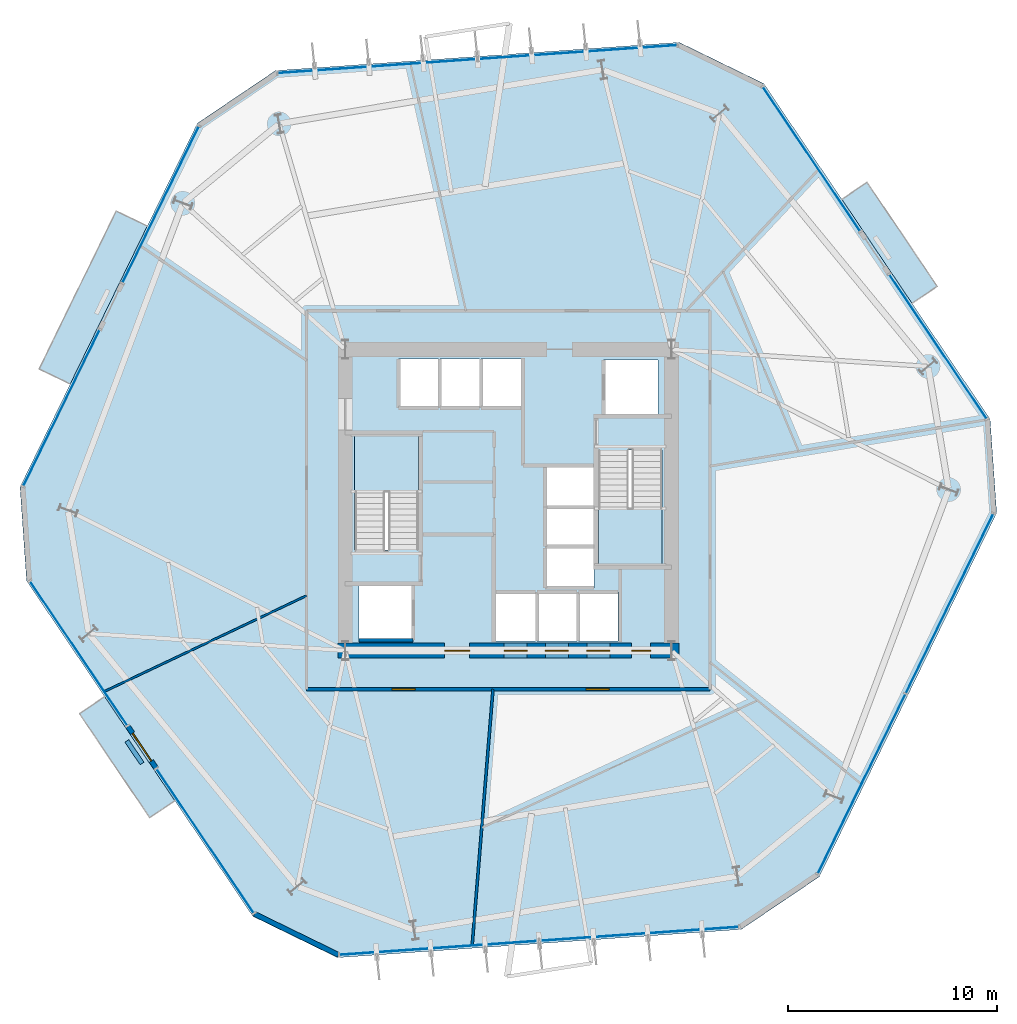
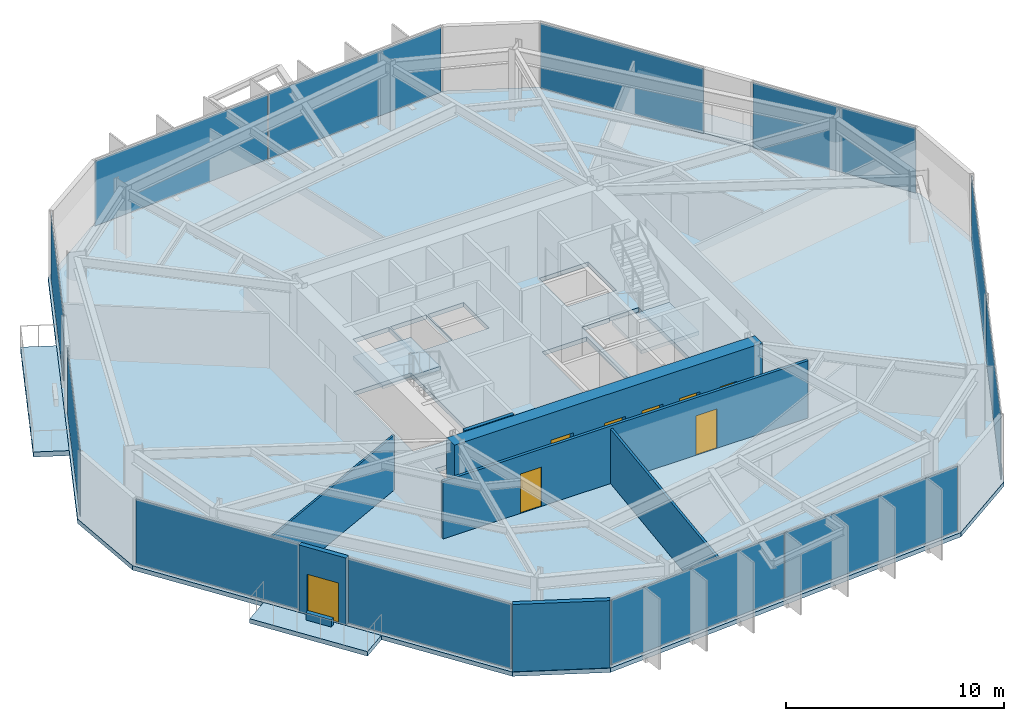
# One storey, part 5 of 10: 12 plates, 8 doors, 8 walls, 6 slabs, 8 openings, 11 elements without a shape of their own.
"""IFC4 building model written with IfcOpenShell, lengths in metres."""

from ifc_helpers import new_model, si_unit, direction, frame, frame_2d, origin, origin_2d, place, context, subcontext, project, spatial, polyline, rectangle, outline, extrude, material, layer, layer_set, type_object, element, fill, aggregate, save


model = new_model("IFC4")

# Units and contexts
model_context = context("Model", 3, precision=1e-05, world=origin(), true_north=direction((0.0, 1.0)))
body_context = subcontext(model_context, "Body", "Model", "MODEL_VIEW")
ifc_project = project(units=[si_unit("LENGTHUNIT", "METRE"), si_unit("AREAUNIT", "SQUARE_METRE"), si_unit("VOLUMEUNIT", "CUBIC_METRE"), si_unit("PLANEANGLEUNIT", "RADIAN"), si_unit("MASSUNIT", "GRAM", prefix="KILO")], contexts=[model_context])

# Site, building, storey
site_placement = place(None, origin())
site = spatial("IfcSite", under=ifc_project, at=site_placement, CompositionType="ELEMENT")
building_placement = place(site_placement, origin())
building = spatial("IfcBuilding", under=site, at=building_placement, Name="Kranzbogen Civic Tower", CompositionType="ELEMENT")
storey_placement = place(building_placement, frame((0.0, 0.0, 36.0)))
storey = spatial("IfcBuildingStorey", under=building, at=storey_placement, Name="L08", CompositionType="ELEMENT", Elevation=36.0)

# Slab
ifc_material_1 = material(Name="Concrete C40/50", Category="concrete")
ifc_layer_1 = layer(ifc_material_1, 0.239990234375, Name="Concrete C40/50")
ifc_layer_set_1 = layer_set([ifc_layer_1], Name="Concrete C40/50")
slab_type_1 = type_object("IfcSlabType", Name="Composite Lower Tower Floor Slab 240 mm", PredefinedType="FLOOR", material=ifc_layer_set_1)
slab_1_placement = place(storey_placement, frame((0.0, 0.0, -0.239990234375)))
element("IfcSlab", 1, at=slab_1_placement, inside=storey, type_object=slab_type_1, Name="L08 tower floor slab", PredefinedType="FLOOR", context=body_context, shape_type="SweptSolid", body=[
    extrude(outline(polyline([(48.0390625, 28.866943359375), (37.216064453125, 44.9130859375), (33.1708984375, 46.885986328125), (13.863037109375, 45.535888671875), (10.132080078125, 43.01904296875), (1.64697265625, 25.6220703125), (1.9609375, 21.133056640625), (12.783935546875, 5.0869140625), (16.8291015625, 3.114013671875), (36.136962890625, 4.464111328125), (39.867919921875, 6.98095703125), (48.35302734375, 24.3779296875), (48.0390625, 28.866943359375)]), holes=[polyline([(26.300048828125, 20.60009765625), (26.300048828125, 18.25), (24.39990234375, 18.25), (24.39990234375, 20.60009765625), (26.300048828125, 20.60009765625)]), polyline([(28.27490234375, 18.25), (26.375, 18.25), (26.375, 20.60009765625), (28.27490234375, 20.60009765625), (28.27490234375, 18.25)]), polyline([(20.449951171875, 18.300048828125), (17.85009765625, 18.300048828125), (17.85009765625, 20.89990234375), (20.449951171875, 20.89990234375), (20.449951171875, 18.300048828125)]), polyline([(20.699951171875, 22.659912109375), (19.25, 22.659912109375), (19.25, 22.60009765625), (17.64990234375, 22.60009765625), (17.64990234375, 28.10009765625), (20.699951171875, 28.10009765625), (20.699951171875, 22.659912109375)]), polyline([(21.64990234375, 29.39990234375), (19.75, 29.39990234375), (19.75, 31.75), (21.64990234375, 31.75), (21.64990234375, 29.39990234375)]), polyline([(23.625, 29.39990234375), (21.72509765625, 29.39990234375), (21.72509765625, 31.75), (23.625, 31.75), (23.625, 29.39990234375)]), polyline([(25.60009765625, 31.75), (25.60009765625, 29.39990234375), (23.699951171875, 29.39990234375), (23.699951171875, 31.75), (25.60009765625, 31.75)]), polyline([(30.25, 18.25), (28.35009765625, 18.25), (28.35009765625, 20.60009765625), (30.25, 20.60009765625), (30.25, 18.25)]), polyline([(29.10009765625, 20.800048828125), (26.75, 20.800048828125), (26.75, 22.699951171875), (29.10009765625, 22.699951171875), (29.10009765625, 20.800048828125)]), polyline([(26.75, 26.550048828125), (29.10009765625, 26.550048828125), (29.10009765625, 24.675048828125), (29.10009765625, 24.64990234375), (29.10009765625, 22.77490234375), (26.75, 22.77490234375), (26.75, 24.64990234375), (26.75, 24.675048828125), (26.75, 26.550048828125)]), polyline([(30.75, 27.340087890625), (30.75, 27.39990234375), (32.35009765625, 27.39990234375), (32.35009765625, 21.89990234375), (29.300048828125, 21.89990234375), (29.300048828125, 27.340087890625), (30.75, 27.340087890625)]), polyline([(32.14990234375, 29.10009765625), (29.550048828125, 29.10009765625), (29.550048828125, 31.699951171875), (32.14990234375, 31.699951171875), (32.14990234375, 29.10009765625)])]), origin(), (0.0, 0.0, 1.0), 0.239990234375),
])

# Curtain wall, plate
ifc_material_2 = material(Name="Pale Anodised Aluminium", Category="aluminium")
ifc_layer_2 = layer(ifc_material_2, 0.219970703125, Name="Pale Anodised Aluminium")
ifc_layer_set_2 = layer_set([ifc_layer_2], Name="Pale Anodised Aluminium")
curtain_wall_type = type_object("IfcCurtainWallType", Name="Zone 1 Stick Curtain Wall System CW-02", PredefinedType="USERDEFINED", material=ifc_layer_set_2)
curtain_wall_1_placement = place(storey_placement, origin())
curtain_wall_1 = element("IfcCurtainWall", 2, at=curtain_wall_1_placement, inside=storey, type_object=curtain_wall_type, Name="L08 curtain wall CW-L08-F1-S1", ObjectType="STICK CURTAIN WALL", PredefinedType="USERDEFINED")
ifc_material_3 = material(Name="Low-E Triple Glazing Glass", Category="glass")
ifc_layer_3 = layer(ifc_material_3, 0.033935546875, Name="Low-E Triple Glazing Glass")
ifc_layer_set_3 = layer_set([ifc_layer_3], Name="Low-E Triple Glazing Glass")
plate_type = type_object("IfcPlateType", Name="Insulated Low-E Glazing Panel 34 mm", PredefinedType="CURTAIN_PANEL", material=ifc_layer_set_3)
plate_1_placement = place(storey_placement, frame((45.547119140625, 32.333984375, 0.06005859375), z_axis=(0.0, 0.0, 1.0), x_axis=(-0.559187234203, 0.829041396496, 0.0)))
plate_1 = element("IfcPlate", 3, at=plate_1_placement, type_object=plate_type, Name="CW-02 panel 1.1", PredefinedType="CURTAIN_PANEL", context=body_context, shape_type="SweptSolid", body=[
    extrude(rectangle(XDim=8.29931640625, YDim=0.028076171875, at=origin_2d()), origin(), (0.0, 0.0, 1.0), 3.639892578125),
])
aggregate(curtain_wall_1, [plate_1])

curtain_wall_2_placement = place(storey_placement, origin())
curtain_wall_2 = element("IfcCurtainWall", 4, at=curtain_wall_2_placement, inside=storey, type_object=curtain_wall_type, Name="L08 curtain wall CW-L08-F1-S2", ObjectType="STICK CURTAIN WALL", PredefinedType="USERDEFINED")
plate_2_placement = place(storey_placement, frame((39.4970703125, 41.303955078125, 0.06005859375), z_axis=(0.0, 0.0, 1.0), x_axis=(-0.559187234203, 0.829041396496, 0.0)))
plate_2 = element("IfcPlate", 5, at=plate_2_placement, type_object=plate_type, Name="CW-02 panel 1.1", PredefinedType="CURTAIN_PANEL", context=body_context, shape_type="SweptSolid", body=[
    extrude(rectangle(XDim=8.29931640625, YDim=0.028076171875, at=origin_2d()), origin(), (0.0, 0.0, 1.0), 3.639892578125),
])
aggregate(curtain_wall_2, [plate_2])

# Curtain wall, plates
curtain_wall_3_placement = place(storey_placement, origin())
curtain_wall_3 = element("IfcCurtainWall", 6, at=curtain_wall_3_placement, inside=storey, type_object=curtain_wall_type, Name="L08 curtain wall CW-L08-F2", ObjectType="STICK CURTAIN WALL", PredefinedType="USERDEFINED")
plate_3_placement = place(storey_placement, frame((28.30908203125, 46.41845703125, 0.06005859375), z_axis=(0.0, 0.0, 1.0), x_axis=(-0.997564178208, -0.069754643976, 0.0)))
plate_3 = element("IfcPlate", 7, at=plate_3_placement, type_object=plate_type, Name="CW-02 panel 1.1", PredefinedType="CURTAIN_PANEL", context=body_context, shape_type="SweptSolid", body=[
    extrude(rectangle(XDim=9.529541015625, YDim=0.028076171875, at=origin_2d()), origin(), (0.0, 0.0, 1.0), 3.639892578125),
])
plate_4_placement = place(storey_placement, frame((18.742919921875, 45.74951171875, 0.06005859375), z_axis=(0.0, 0.0, 1.0), x_axis=(-0.997564178208, -0.069754643976, 0.0)))
plate_4 = element("IfcPlate", 8, at=plate_4_placement, type_object=plate_type, Name="CW-02 panel 2.1", PredefinedType="CURTAIN_PANEL", context=body_context, shape_type="SweptSolid", body=[
    extrude(rectangle(XDim=9.529541015625, YDim=0.028076171875, at=origin_2d()), origin(), (0.0, 0.0, 1.0), 3.639892578125),
])
aggregate(curtain_wall_3, [plate_3, plate_4])

# Curtain wall, plate
curtain_wall_4_placement = place(storey_placement, origin())
curtain_wall_4 = element("IfcCurtainWall", 9, at=curtain_wall_4_placement, inside=storey, type_object=curtain_wall_type, Name="L08 curtain wall CW-L08-F3-S1", ObjectType="STICK CURTAIN WALL", PredefinedType="USERDEFINED")
plate_5_placement = place(storey_placement, frame((8.37548828125, 39.126953125, 0.06005859375), z_axis=(0.0, 0.0, 1.0), x_axis=(-0.438355774113, -0.898801543892, 0.0)))
plate_5 = element("IfcPlate", 10, at=plate_5_placement, type_object=plate_type, Name="CW-02 panel 1.1", PredefinedType="CURTAIN_PANEL", context=body_context, shape_type="SweptSolid", body=[
    extrude(rectangle(XDim=8.300048828125, YDim=0.028076171875, at=origin_2d()), origin(), (0.0, 0.0, 1.0), 3.639892578125),
])
aggregate(curtain_wall_4, [plate_5])

curtain_wall_5_placement = place(storey_placement, origin())
curtain_wall_5 = element("IfcCurtainWall", 11, at=curtain_wall_5_placement, inside=storey, type_object=curtain_wall_type, Name="L08 curtain wall CW-L08-F3-S2", ObjectType="STICK CURTAIN WALL", PredefinedType="USERDEFINED")
plate_6_placement = place(storey_placement, frame((3.632568359375, 29.402099609375, 0.06005859375), z_axis=(0.0, 0.0, 1.0), x_axis=(-0.438355774113, -0.898801543892, 0.0)))
plate_6 = element("IfcPlate", 12, at=plate_6_placement, type_object=plate_type, Name="CW-02 panel 1.1", PredefinedType="CURTAIN_PANEL", context=body_context, shape_type="SweptSolid", body=[
    extrude(rectangle(XDim=8.300048828125, YDim=0.028076171875, at=origin_2d()), origin(), (0.0, 0.0, 1.0), 3.639892578125),
])
aggregate(curtain_wall_5, [plate_6])

curtain_wall_6_placement = place(storey_placement, origin())
curtain_wall_6 = element("IfcCurtainWall", 13, at=curtain_wall_6_placement, inside=storey, type_object=curtain_wall_type, Name="L08 curtain wall CW-L08-F4-S1", ObjectType="STICK CURTAIN WALL", PredefinedType="USERDEFINED")
plate_7_placement = place(storey_placement, frame((4.452880859375, 17.666015625, 0.06005859375), z_axis=(0.0, 0.0, 1.0), x_axis=(0.559187234203, -0.829041396496, 0.0)))
plate_7 = element("IfcPlate", 14, at=plate_7_placement, type_object=plate_type, Name="CW-02 panel 1.1", PredefinedType="CURTAIN_PANEL", context=body_context, shape_type="SweptSolid", body=[
    extrude(rectangle(XDim=8.29931640625, YDim=0.028076171875, at=origin_2d()), origin(), (0.0, 0.0, 1.0), 3.639892578125),
])
aggregate(curtain_wall_6, [plate_7])

curtain_wall_7_placement = place(storey_placement, origin())
curtain_wall_7 = element("IfcCurtainWall", 15, at=curtain_wall_7_placement, inside=storey, type_object=curtain_wall_type, Name="L08 curtain wall CW-L08-F4-S2", ObjectType="STICK CURTAIN WALL", PredefinedType="USERDEFINED")
plate_8_placement = place(storey_placement, frame((10.5029296875, 8.696044921875, 0.06005859375), z_axis=(0.0, 0.0, 1.0), x_axis=(0.559187234203, -0.829041396496, 0.0)))
plate_8 = element("IfcPlate", 16, at=plate_8_placement, type_object=plate_type, Name="CW-02 panel 1.1", PredefinedType="CURTAIN_PANEL", context=body_context, shape_type="SweptSolid", body=[
    extrude(rectangle(XDim=8.29931640625, YDim=0.028076171875, at=origin_2d()), origin(), (0.0, 0.0, 1.0), 3.639892578125),
])
aggregate(curtain_wall_7, [plate_8])

# Curtain wall, plates
curtain_wall_8_placement = place(storey_placement, origin())
curtain_wall_8 = element("IfcCurtainWall", 17, at=curtain_wall_8_placement, inside=storey, type_object=curtain_wall_type, Name="L08 curtain wall CW-L08-F5", ObjectType="STICK CURTAIN WALL", PredefinedType="USERDEFINED")
plate_9_placement = place(storey_placement, frame((21.69091796875, 3.58154296875, 0.06005859375), z_axis=(0.0, 0.0, 1.0), x_axis=(0.997564178208, 0.069754643976, 0.0)))
plate_9 = element("IfcPlate", 18, at=plate_9_placement, type_object=plate_type, Name="CW-02 panel 1.1", PredefinedType="CURTAIN_PANEL", context=body_context, shape_type="SweptSolid", body=[
    extrude(rectangle(XDim=9.529541015625, YDim=0.028076171875, at=origin_2d()), origin(), (0.0, 0.0, 1.0), 3.639892578125),
])
plate_10_placement = place(storey_placement, frame((31.257080078125, 4.25048828125, 0.06005859375), z_axis=(0.0, 0.0, 1.0), x_axis=(0.997564178208, 0.069754643976, 0.0)))
plate_10 = element("IfcPlate", 19, at=plate_10_placement, type_object=plate_type, Name="CW-02 panel 2.1", PredefinedType="CURTAIN_PANEL", context=body_context, shape_type="SweptSolid", body=[
    extrude(rectangle(XDim=9.529541015625, YDim=0.028076171875, at=origin_2d()), origin(), (0.0, 0.0, 1.0), 3.639892578125),
])
aggregate(curtain_wall_8, [plate_9, plate_10])

curtain_wall_9_placement = place(storey_placement, origin())
curtain_wall_9 = element("IfcCurtainWall", 20, at=curtain_wall_9_placement, inside=storey, type_object=curtain_wall_type, Name="L08 curtain wall CW-L08-F6", ObjectType="STICK CURTAIN WALL", PredefinedType="USERDEFINED")
plate_11_placement = place(storey_placement, frame((41.89404296875, 11.42578125, 0.06005859375), z_axis=(0.0, 0.0, 1.0), x_axis=(0.438356045969, 0.898801411304, 0.0)))
plate_11 = element("IfcPlate", 21, at=plate_11_placement, type_object=plate_type, Name="CW-02 panel 1.1", PredefinedType="CURTAIN_PANEL", context=body_context, shape_type="SweptSolid", body=[
    extrude(rectangle(XDim=9.530029296875, YDim=0.028076171875, at=origin_2d()), origin(), (0.0, 0.0, 1.0), 3.639892578125),
])
plate_12_placement = place(storey_placement, frame((46.097900390625, 20.045166015625, 0.06005859375), z_axis=(0.0, 0.0, 1.0), x_axis=(0.438356045969, 0.898801411304, 0.0)))
plate_12 = element("IfcPlate", 22, at=plate_12_placement, type_object=plate_type, Name="CW-02 panel 2.1", PredefinedType="CURTAIN_PANEL", context=body_context, shape_type="SweptSolid", body=[
    extrude(rectangle(XDim=9.530029296875, YDim=0.028076171875, at=origin_2d()), origin(), (0.0, 0.0, 1.0), 3.639892578125),
])
aggregate(curtain_wall_9, [plate_11, plate_12])

# Stair, slab
ifc_material_4 = material(Name="Precast concrete C40/50", Category="concrete")
stair_type_1 = type_object("IfcStairType", Name="Tower Core Pressurized Dogleg Stair 1450", PredefinedType="HALF_TURN_STAIR", material=ifc_material_4)
stair_1_placement = place(storey_placement, origin())
stair_1 = element("IfcStair", 23, at=stair_1_placement, inside=storey, type_object=stair_type_1, Name="L08 Tower Core Pressurized Stair 1", PredefinedType="HALF_TURN_STAIR")
ifc_layer_4 = layer(ifc_material_4, 0.199951171875, Name="Precast concrete C40/50")
ifc_layer_set_4 = layer_set([ifc_layer_4], Name="Precast concrete C40/50")
slab_type_2 = type_object("IfcSlabType", Name="Precast Concrete Stair Landing Slab 200 mm", PredefinedType="LANDING", material=ifc_layer_set_4)
slab_2_placement = place(storey_placement, frame((0.0, 0.0, 1.800048828125)))
slab_2 = element("IfcSlab", 24, at=slab_2_placement, type_object=slab_type_2, Name="ST-T1 landing 1", PredefinedType="LANDING", context=body_context, shape_type="SweptSolid", body=[
    extrude(outline(polyline([(20.699951171875, 25.39990234375), (20.699951171875, 28.10009765625), (17.64990234375, 28.10009765625), (17.64990234375, 25.39990234375), (20.699951171875, 25.39990234375)])), origin(), (0.0, 0.0, 1.0), 0.199951171875),
])
aggregate(stair_1, [slab_2])

stair_type_2 = type_object("IfcStairType", Name="Tower Core Secondary Dogleg Stair 1450", PredefinedType="HALF_TURN_STAIR", material=ifc_material_4)
stair_2_placement = place(storey_placement, origin())
stair_2 = element("IfcStair", 25, at=stair_2_placement, inside=storey, type_object=stair_type_2, Name="L08 Tower Core Pressurized Stair 2", PredefinedType="HALF_TURN_STAIR")
slab_3_placement = place(storey_placement, frame((0.0, 0.0, 1.800048828125)))
slab_3 = element("IfcSlab", 26, at=slab_3_placement, type_object=slab_type_2, Name="ST-T2 landing 1", PredefinedType="LANDING", context=body_context, shape_type="SweptSolid", body=[
    extrude(outline(polyline([(29.300048828125, 24.60009765625), (29.300048828125, 21.89990234375), (32.35009765625, 21.89990234375), (32.35009765625, 24.60009765625), (29.300048828125, 24.60009765625)])), origin(), (0.0, 0.0, 1.0), 0.199951171875),
])
aggregate(stair_2, [slab_3])

# Slabs
ifc_layer_5 = layer(ifc_material_1, 0.280029296875, Name="Concrete C40/50")
ifc_layer_set_5 = layer_set([ifc_layer_5], Name="Concrete C40/50")
slab_type_3 = type_object("IfcSlabType", Name="Spiral Terrace Cantilevered Slab 280 mm", PredefinedType="FLOOR", material=ifc_layer_set_5)
slab_4_placement = place(storey_placement, frame((0.0, 0.0, -0.280029296875)))
element("IfcSlab", 27, at=slab_4_placement, inside=storey, type_object=slab_type_3, Name="L08 cantilevered spiral terrace L08-ST", PredefinedType="FLOOR", context=body_context, shape_type="SweptSolid", body=[
    extrude(outline(polyline([(7.73095703125, 38.095947265625), (4.048095703125, 30.5458984375), (2.56494140625, 31.26904296875), (6.248046875, 38.819091796875), (7.73095703125, 38.095947265625)])), origin(), (0.0, 0.0, 1.0), 0.280029296875),
])
ifc_layer_6 = layer(ifc_material_1, 0.25, Name="Concrete C40/50")
ifc_layer_set_6 = layer_set([ifc_layer_6], Name="Concrete C40/50")
slab_type_4 = type_object("IfcSlabType", Name="Tree Balcony Cantilevered Slab 250 mm", PredefinedType="FLOOR", material=ifc_layer_set_6)
slab_5_placement = place(storey_placement, frame((0.0, 0.0, -0.25)))
element("IfcSlab", 28, at=slab_5_placement, inside=storey, type_object=slab_type_4, Name="L08 cantilevered tree balcony L08-TB1", PredefinedType="FLOOR", context=body_context, shape_type="SweptSolid", body=[
    extrude(outline(polyline([(44.304931640625, 34.403076171875), (40.949951171875, 39.376953125), (42.152099609375, 40.18798828125), (45.507080078125, 35.214111328125), (44.304931640625, 34.403076171875)])), origin(), (0.0, 0.0, 1.0), 0.25),
])
slab_6_placement = place(storey_placement, frame((0.0, 0.0, -0.25)))
element("IfcSlab", 29, at=slab_6_placement, inside=storey, type_object=slab_type_4, Name="L08 cantilevered tree balcony L08-TB2", PredefinedType="FLOOR", context=body_context, shape_type="SweptSolid", body=[
    extrude(outline(polyline([(5.695068359375, 15.596923828125), (9.050048828125, 10.623046875), (7.847900390625, 9.81201171875), (4.492919921875, 14.785888671875), (5.695068359375, 15.596923828125)])), origin(), (0.0, 0.0, 1.0), 0.25),
])

# Wall, openings, doors
ifc_material_5 = material(Name="Double-Stud Acoustic Gypsum Partition")
ifc_layer_7 = layer(ifc_material_5, 0.14990234375, Name="Double-Stud Acoustic Gypsum Partition")
ifc_layer_set_7 = layer_set([ifc_layer_7], Name="Double-Stud Acoustic Gypsum Partition")
wall_type_1 = type_object("IfcWallType", Name="Acoustic Corridor and Clinical Partition 150 mm", PredefinedType="PARTITIONING", material=ifc_layer_set_7)
wall_1_placement = place(storey_placement, frame((34.64990234375, 15.949951171875, 0.0), z_axis=(0.0, 0.0, 1.0), x_axis=(-1.0, 0.0, 0.0)))
wall_1 = element("IfcWall", 30, at=wall_1_placement, inside=storey, type_object=wall_type_1, Name="L08 corridor partition 03", PredefinedType="PARTITIONING", context=body_context, shape_type="SweptSolid", body=[
    extrude(rectangle(XDim=19.2998046875, YDim=0.14990234375, at=frame_2d((9.64990234375, 0.0))), origin(), (0.0, 0.0, 1.0), 3.2099609375),
])
opening_1_placement = place(wall_1_placement, frame((14.112060546875, 0.0, 0.0)))
opening_1 = element("IfcOpeningElement", 31, at=opening_1_placement, cuts=wall_1, Name="Opening D-COR60", PredefinedType="OPENING", context=body_context, shape_type="SweptSolid", body=[
    extrude(rectangle(XDim=1.10009765625, YDim=2.199951171875, at=frame_2d((0.550048828125, 1.10009765625))), frame((0.0, 0.0849609375, 0.0), z_axis=(0.0, -1.0, 0.0), x_axis=(1.0, 0.0, 0.0)), (0.0, 0.0, 1.0), 0.169921875),
])
opening_2_placement = place(wall_1_placement, frame((4.8291015625, 0.0, 0.0)))
opening_2 = element("IfcOpeningElement", 32, at=opening_2_placement, cuts=wall_1, Name="Opening D-COR60", PredefinedType="OPENING", context=body_context, shape_type="SweptSolid", body=[
    extrude(rectangle(XDim=1.10009765625, YDim=2.199951171875, at=frame_2d((0.550048828125, 1.10009765625))), frame((0.0, 0.0849609375, 0.0), z_axis=(0.0, -1.0, 0.0), x_axis=(1.0, 0.0, 0.0)), (0.0, 0.0, 1.0), 0.169921875),
])
ifc_material_6 = material(Name="Oak Timber and Fire Core", Category="wood")
door_type_1 = type_object("IfcDoorType", Name="Corridor Acoustic Fire Door 1100x2200", OperationType="NOTDEFINED", PredefinedType="DOOR", material=ifc_material_6)
door_1_placement = place(opening_1_placement, origin())
door_1 = element("IfcDoor", 33, at=door_1_placement, inside=storey, type_object=door_type_1, Name="L08 Ministerial Policy Office door", OperationType="SINGLE_SWING_LEFT", OverallHeight=2.199951171875, OverallWidth=1.10009765625, PredefinedType="DOOR", context=body_context, shape_type="SweptSolid", body=[
    extrude(rectangle(XDim=1.10009765625, YDim=2.199951171875, at=frame_2d((0.550048828125, 1.10009765625))), frame((0.0, 0.02490234375, 0.0), z_axis=(0.0, -1.0, 0.0), x_axis=(1.0, 0.0, 0.0)), (0.0, 0.0, 1.0), 0.050048828125),
])
fill(opening_1, door_1)
door_2_placement = place(opening_2_placement, origin())
door_2 = element("IfcDoor", 34, at=door_2_placement, inside=storey, type_object=door_type_1, Name="L08 Directorate Admin Workspace door", OperationType="SINGLE_SWING_RIGHT", OverallHeight=2.199951171875, OverallWidth=1.10009765625, PredefinedType="DOOR", context=body_context, shape_type="SweptSolid", body=[
    extrude(rectangle(XDim=1.10009765625, YDim=2.199951171875, at=frame_2d((0.550048828125, 1.10009765625))), frame((0.0, 0.02490234375, 0.0), z_axis=(0.0, -1.0, 0.0), x_axis=(1.0, 0.0, 0.0)), (0.0, 0.0, 1.0), 0.050048828125),
])
fill(opening_2, door_2)

# Walls
ifc_material_7 = material(Name="Insulated Metal-Stud Gypsum Partition")
ifc_layer_8 = layer(ifc_material_7, 0.125, Name="Insulated Metal-Stud Gypsum Partition")
ifc_layer_set_8 = layer_set([ifc_layer_8], Name="Insulated Metal-Stud Gypsum Partition")
wall_type_2 = type_object("IfcWallType", Name="Acoustic Inter-Room Partition 125 mm", PredefinedType="PARTITIONING", material=ifc_layer_set_8)
wall_2_placement = place(storey_placement, frame((24.264892578125, 15.949951171875, 0.0), z_axis=(0.0, 0.0, 1.0), x_axis=(-0.081013374565, -0.996713014434, 0.0)))
element("IfcWall", 35, at=wall_2_placement, inside=storey, type_object=wall_type_2, Name="L08 radial room partition 05", PredefinedType="PARTITIONING", context=body_context, shape_type="SweptSolid", body=[
    extrude(rectangle(XDim=12.2802734375, YDim=0.125, at=frame_2d((6.14013671875, 0.0))), origin(), (0.0, 0.0, 1.0), 3.050048828125),
])
ifc_material_8 = material(Name="Architectural Precast Terracotta Concrete C40/50", Category="masonry")
ifc_layer_9 = layer(ifc_material_8, 0.219970703125, Name="Architectural Precast Terracotta Concrete C40/50")
ifc_layer_set_9 = layer_set([ifc_layer_9], Name="Architectural Precast Terracotta Concrete C40/50")
wall_type_3 = type_object("IfcWallType", Name="Architectural Tree Planter Kerb Wall 220 mm", PredefinedType="USERDEFINED", material=ifc_layer_set_9)
wall_3_placement = place(storey_placement, frame((6.757080078125, 13.47900390625, 0.0), z_axis=(0.0, 0.0, 1.0), x_axis=(0.558465865857, -0.829527502059, 0.0)))
element("IfcWall", 36, at=wall_3_placement, inside=storey, type_object=wall_type_3, Name="L08 landscaped tree balcony planter L08-TB2", ObjectType="PLANTER_WALL", PredefinedType="USERDEFINED", context=body_context, shape_type="SweptSolid", body=[
    extrude(rectangle(XDim=1.2998046875, YDim=0.219970703125, at=frame_2d((0.64990234375, 0.0))), origin(), (0.0, 0.0, 1.0), 0.39990234375),
])

# Wall, openings, doors
ifc_material_9 = material(Name="Concrete C55/67", Category="concrete")
ifc_layer_10 = layer(ifc_material_9, 0.699951171875, Name="Concrete C55/67")
ifc_layer_set_10 = layer_set([ifc_layer_10], Name="Concrete C55/67")
wall_type_4 = type_object("IfcWallType", Name="Central Core Shear Wall 700 mm", PredefinedType="SHEAR", material=ifc_layer_set_10)
wall_4_placement = place(storey_placement, frame((16.85009765625, 17.800048828125, 0.0), z_axis=(0.0, 0.0, 1.0), x_axis=(1.0, 0.0, 0.0)))
wall_4 = element("IfcWall", 37, at=wall_4_placement, inside=storey, type_object=wall_type_4, Name="L08 central core South shear wall", PredefinedType="SHEAR", context=body_context, shape_type="SweptSolid", body=[
    extrude(rectangle(XDim=16.2998046875, YDim=0.699951171875, at=frame_2d((8.14990234375, 0.0))), origin(), (0.0, 0.0, 1.0), 3.760009765625),
])
opening_3_placement = place(wall_4_placement, frame((5.10009765625, 0.0, 0.0)))
opening_3 = element("IfcOpeningElement", 38, at=opening_3_placement, cuts=wall_4, Name="Opening D-EX120", PredefinedType="OPENING", context=body_context, shape_type="SweptSolid", body=[
    extrude(rectangle(XDim=1.199951171875, YDim=2.25, at=frame_2d((0.60009765625, 1.125))), frame((0.0, 0.35986328125, 0.0), z_axis=(0.0, -1.0, 0.0), x_axis=(1.0, 0.0, 0.0)), (0.0, 0.0, 1.0), 0.719970703125),
])
opening_4_placement = place(wall_4_placement, frame((14.050048828125, 0.0, 0.0)))
opening_4 = element("IfcOpeningElement", 39, at=opening_4_placement, cuts=wall_4, Name="Opening D-WC90", PredefinedType="OPENING", context=body_context, shape_type="SweptSolid", body=[
    extrude(rectangle(XDim=0.89990234375, YDim=2.10009765625, at=frame_2d((0.449951171875, 1.050048828125))), frame((0.0, 0.35986328125, 0.0), z_axis=(0.0, -1.0, 0.0), x_axis=(1.0, 0.0, 0.0)), (0.0, 0.0, 1.0), 0.719970703125),
])
opening_5_placement = place(wall_4_placement, frame((7.949951171875, 0.0, 0.0)))
opening_5 = element("IfcOpeningElement", 40, at=opening_5_placement, cuts=wall_4, Name="Opening LD-LP-01", PredefinedType="OPENING", context=body_context, shape_type="SweptSolid", body=[
    extrude(rectangle(XDim=1.10009765625, YDim=2.199951171875, at=frame_2d((0.550048828125, 1.10009765625))), frame((0.0, 0.35986328125, 0.0), z_axis=(0.0, -1.0, 0.0), x_axis=(1.0, 0.0, 0.0)), (0.0, 0.0, 1.0), 0.719970703125),
])
opening_6_placement = place(wall_4_placement, frame((9.925048828125, 0.0, 0.0)))
opening_6 = element("IfcOpeningElement", 41, at=opening_6_placement, cuts=wall_4, Name="Opening LD-LP-02", PredefinedType="OPENING", context=body_context, shape_type="SweptSolid", body=[
    extrude(rectangle(XDim=1.10009765625, YDim=2.199951171875, at=frame_2d((0.550048828125, 1.10009765625))), frame((0.0, 0.35986328125, 0.0), z_axis=(0.0, -1.0, 0.0), x_axis=(1.0, 0.0, 0.0)), (0.0, 0.0, 1.0), 0.719970703125),
])
opening_7_placement = place(wall_4_placement, frame((11.89990234375, 0.0, 0.0)))
opening_7 = element("IfcOpeningElement", 42, at=opening_7_placement, cuts=wall_4, Name="Opening LD-LP-03", PredefinedType="OPENING", context=body_context, shape_type="SweptSolid", body=[
    extrude(rectangle(XDim=1.10009765625, YDim=2.199951171875, at=frame_2d((0.550048828125, 1.10009765625))), frame((0.0, 0.35986328125, 0.0), z_axis=(0.0, -1.0, 0.0), x_axis=(1.0, 0.0, 0.0)), (0.0, 0.0, 1.0), 0.719970703125),
])
ifc_material_10 = material(Name="Steel S355", Category="steel")
door_type_2 = type_object("IfcDoorType", Name="Exit Passageway Fire Door 1200x2250", OperationType="NOTDEFINED", PredefinedType="DOOR", material=ifc_material_10)
door_3_placement = place(opening_3_placement, origin())
door_3 = element("IfcDoor", 43, at=door_3_placement, inside=storey, type_object=door_type_2, Name="L08 West firefighting lobby corridor door", OperationType="SINGLE_SWING_RIGHT", OverallHeight=2.25, OverallWidth=1.199951171875, PredefinedType="DOOR", context=body_context, shape_type="SweptSolid", body=[
    extrude(rectangle(XDim=1.199951171875, YDim=2.25, at=frame_2d((0.60009765625, 1.125))), frame((0.0, 0.02490234375, 0.0), z_axis=(0.0, -1.0, 0.0), x_axis=(1.0, 0.0, 0.0)), (0.0, 0.0, 1.0), 0.050048828125),
])
fill(opening_3, door_3)
door_type_3 = type_object("IfcDoorType", Name="Passenger Lift Sliding Landing Door 1100x2200", OperationType="DOUBLE_DOOR_SLIDING", PredefinedType="DOOR", material=ifc_material_2)
door_4_placement = place(opening_5_placement, origin())
door_4 = element("IfcDoor", 44, at=door_4_placement, inside=storey, type_object=door_type_3, Name="L08 lift LP-01 sliding landing door", OperationType="DOUBLE_DOOR_SLIDING", OverallHeight=2.199951171875, OverallWidth=1.10009765625, PredefinedType="DOOR", context=body_context, shape_type="SweptSolid", body=[
    extrude(rectangle(XDim=1.10009765625, YDim=2.199951171875, at=frame_2d((0.550048828125, 1.10009765625))), frame((0.0, 0.02490234375, 0.0), z_axis=(0.0, -1.0, 0.0), x_axis=(1.0, 0.0, 0.0)), (0.0, 0.0, 1.0), 0.050048828125),
])
fill(opening_5, door_4)
door_5_placement = place(opening_6_placement, origin())
door_5 = element("IfcDoor", 45, at=door_5_placement, inside=storey, type_object=door_type_3, Name="L08 lift LP-02 sliding landing door", OperationType="DOUBLE_DOOR_SLIDING", OverallHeight=2.199951171875, OverallWidth=1.10009765625, PredefinedType="DOOR", context=body_context, shape_type="SweptSolid", body=[
    extrude(rectangle(XDim=1.10009765625, YDim=2.199951171875, at=frame_2d((0.550048828125, 1.10009765625))), frame((0.0, 0.02490234375, 0.0), z_axis=(0.0, -1.0, 0.0), x_axis=(1.0, 0.0, 0.0)), (0.0, 0.0, 1.0), 0.050048828125),
])
fill(opening_6, door_5)
door_6_placement = place(opening_7_placement, origin())
door_6 = element("IfcDoor", 46, at=door_6_placement, inside=storey, type_object=door_type_3, Name="L08 lift LP-03 sliding landing door", OperationType="DOUBLE_DOOR_SLIDING", OverallHeight=2.199951171875, OverallWidth=1.10009765625, PredefinedType="DOOR", context=body_context, shape_type="SweptSolid", body=[
    extrude(rectangle(XDim=1.10009765625, YDim=2.199951171875, at=frame_2d((0.550048828125, 1.10009765625))), frame((0.0, 0.02490234375, 0.0), z_axis=(0.0, -1.0, 0.0), x_axis=(1.0, 0.0, 0.0)), (0.0, 0.0, 1.0), 0.050048828125),
])
fill(opening_7, door_6)
ifc_material_11 = material(Name="Moisture-Resistant Laminate")
door_type_4 = type_object("IfcDoorType", Name="Standard Restroom and Store Door 900x2100", OperationType="NOTDEFINED", PredefinedType="DOOR", material=ifc_material_11)
door_7_placement = place(opening_4_placement, origin())
door_7 = element("IfcDoor", 47, at=door_7_placement, inside=storey, type_object=door_type_4, Name="L08 East electrical riser access door", OperationType="SINGLE_SWING_RIGHT", OverallHeight=2.10009765625, OverallWidth=0.89990234375, PredefinedType="DOOR", context=body_context, shape_type="SweptSolid", body=[
    extrude(rectangle(XDim=0.89990234375, YDim=2.10009765625, at=frame_2d((0.449951171875, 1.050048828125))), frame((0.0, 0.02490234375, 0.0), z_axis=(0.0, -1.0, 0.0), x_axis=(1.0, 0.0, 0.0)), (0.0, 0.0, 1.0), 0.050048828125),
])
fill(opening_4, door_7)

# Walls
ifc_material_12 = material(Name="Demountable Aluminium and Gypsum Partition", Category="aluminium")
ifc_layer_11 = layer(ifc_material_12, 0.10009765625, Name="Demountable Aluminium and Gypsum Partition")
ifc_layer_set_11 = layer_set([ifc_layer_11], Name="Demountable Aluminium and Gypsum Partition")
wall_type_5 = type_object("IfcWallType", Name="Demountable Office Partition 100 mm", PredefinedType="MOVABLE", material=ifc_layer_set_11)
wall_5_placement = place(storey_placement, frame((15.35009765625, 20.427001953125, 0.0), z_axis=(0.0, 0.0, 1.0), x_axis=(-0.90363263024, -0.428308381385, 0.0)))
element("IfcWall", 48, at=wall_5_placement, inside=storey, type_object=wall_type_5, Name="L08 radial room partition 04", PredefinedType="MOVABLE", context=body_context, shape_type="SweptSolid", body=[
    extrude(rectangle(XDim=10.681396484375, YDim=0.10009765625, at=frame_2d((5.3408203125, 0.0))), origin(), (0.0, 0.0, 1.0), 3.06005859375),
])
ifc_material_13 = material(Name="Gypsum Fireboard Shaftliner")
ifc_layer_12 = layer(ifc_material_13, 0.175048828125, Name="Gypsum Fireboard Shaftliner")
ifc_layer_set_12 = layer_set([ifc_layer_12], Name="Gypsum Fireboard Shaftliner")
wall_type_6 = type_object("IfcWallType", Name="Fire-Rated Lift and Service Shaft Wall 175 mm", PredefinedType="PARTITIONING", material=ifc_layer_set_12)
wall_6_placement = place(storey_placement, frame((17.85009765625, 18.300048828125, 0.0), z_axis=(0.0, 0.0, 1.0), x_axis=(1.0, 0.0, 0.0)))
element("IfcWall", 49, at=wall_6_placement, inside=storey, type_object=wall_type_6, Name="L08 lift FF-01 side wall", PredefinedType="PARTITIONING", context=body_context, shape_type="SweptSolid", body=[
    extrude(rectangle(XDim=2.599853515625, YDim=0.175048828125, at=frame_2d((1.2998046875, 0.0))), origin(), (0.0, 0.0, 1.0), 3.760009765625),
])

# Wall, opening, door
ifc_layer_13 = layer(ifc_material_2, 0.239990234375, Name="Pale Anodised Aluminium")
ifc_layer_set_13 = layer_set([ifc_layer_13], Name="Pale Anodised Aluminium")
wall_type_7 = type_object("IfcWallType", Name="Insulated Aluminium Facade Portal Wall 240 mm", PredefinedType="STANDARD", material=ifc_layer_set_13)
wall_7_placement = place(storey_placement, frame((6.806884765625, 14.176025390625, 0.0), z_axis=(0.0, 0.0, 1.0), x_axis=(0.559128660759, -0.82908090119, 0.0)))
wall_7 = element("IfcWall", 50, at=wall_7_placement, inside=storey, type_object=wall_type_7, Name="L08 exterior entrance portal wall 1", PredefinedType="STANDARD", context=body_context, shape_type="SweptSolid", body=[
    extrude(rectangle(XDim=2.400146484375, YDim=0.239990234375, at=frame_2d((1.2001953125, 0.0))), origin(), (0.0, 0.0, 1.0), 3.760009765625),
])
opening_8_placement = place(wall_7_placement, frame((0.39990234375, 0.0, 0.0)))
opening_8 = element("IfcOpeningElement", 51, at=opening_8_placement, cuts=wall_7, Name="Opening D-TER", PredefinedType="OPENING", context=body_context, shape_type="SweptSolid", body=[
    extrude(rectangle(XDim=1.60009765625, YDim=2.25, at=frame_2d((0.800048828125, 1.125))), frame((0.0, 0.1298828125, 0.0), z_axis=(0.0, -1.0, 0.0), x_axis=(1.0, 0.0, 0.0)), (0.0, 0.0, 1.0), 0.260009765625),
])
ifc_material_14 = material(Name="Anodised Bronze and Triple Glass", Category="glass")
door_type_5 = type_object("IfcDoorType", Name="Glazed Terrace and Balcony Double Door 1600x2250", OperationType="DOUBLE_DOOR_SINGLE_SWING", PredefinedType="DOOR", material=ifc_material_14)
door_8_placement = place(opening_8_placement, frame((1.60009765625, 0.0, 0.0), z_axis=(0.0, 0.0, 1.0), x_axis=(-1.0, 0.0, 0.0)))
door_8 = element("IfcDoor", 52, at=door_8_placement, inside=storey, type_object=door_type_5, Name="L08 tree balcony access door L08-TB2", OperationType="DOUBLE_DOOR_SINGLE_SWING", OverallHeight=2.25, OverallWidth=1.60009765625, PredefinedType="DOOR", context=body_context, shape_type="SweptSolid", body=[
    extrude(rectangle(XDim=1.60009765625, YDim=2.25, at=frame_2d((0.800048828125, 1.125))), frame((0.0, 0.02490234375, 0.0), z_axis=(0.0, -1.0, 0.0), x_axis=(1.0, 0.0, 0.0)), (0.0, 0.0, 1.0), 0.050048828125),
])
fill(opening_8, door_8)

# Wall
wall_8_placement = place(storey_placement, frame((12.85693359375, 5.2060546875, 0.0), z_axis=(0.0, 0.0, 1.0), x_axis=(0.898814595488, -0.438329012202, 0.0)))
element("IfcWall", 53, at=wall_8_placement, inside=storey, type_object=wall_type_7, Name="L08 chamfered corner facade spandrel 4", PredefinedType="STANDARD", context=body_context, shape_type="SweptSolid", body=[
    extrude(rectangle(XDim=4.4736328125, YDim=0.239990234375, at=frame_2d((2.23681640625, 0.0))), origin(), (0.0, 0.0, 1.0), 3.760009765625),
])

save(model, "model.ifc")
